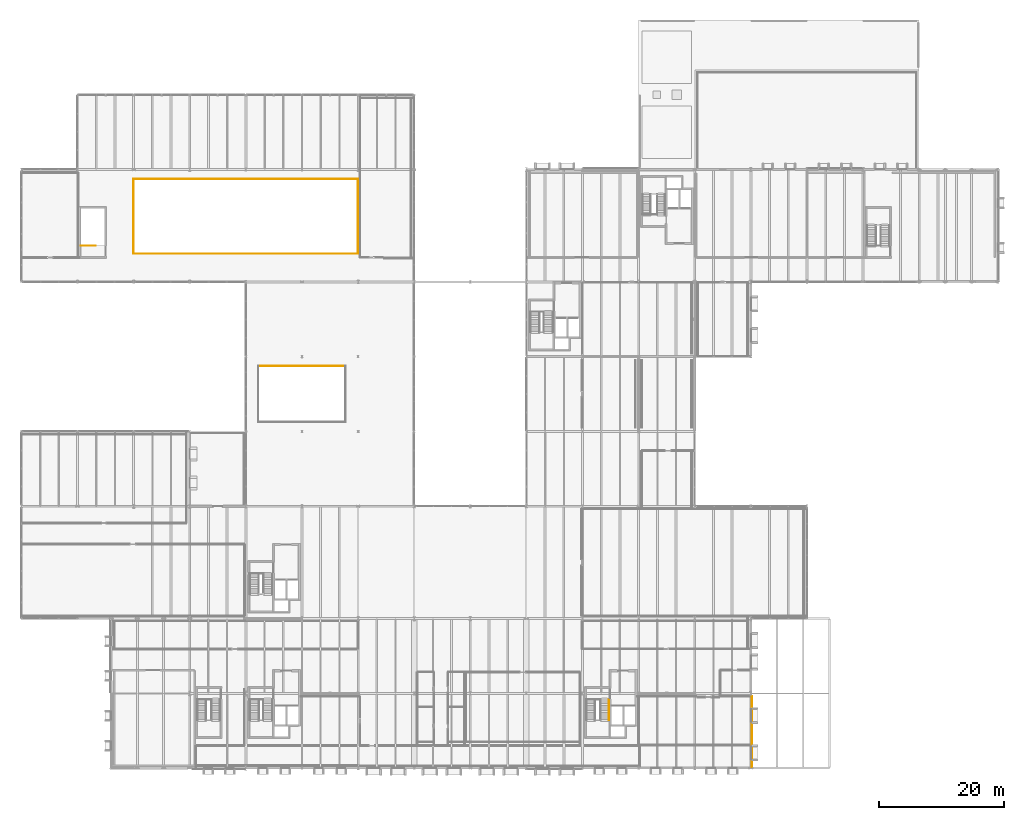
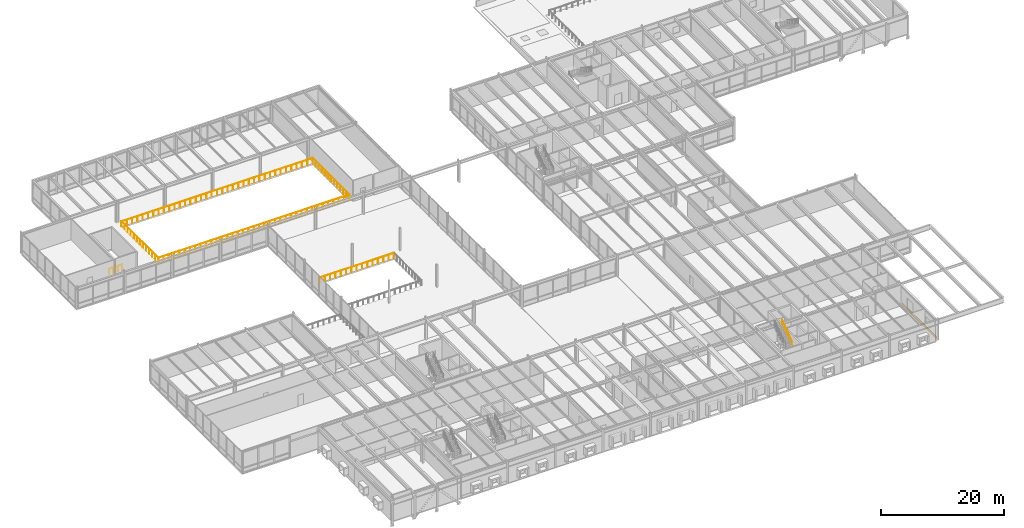
# One storey, part 113 of 115: 7 railings, 1 covering.
"""IFC4 building model written with IfcOpenShell, lengths in metres."""

from ifc_helpers import new_model, si_unit, direction, frame, origin, origin_2d, place, context, subcontext, project, spatial, rectangle, circle, extrude, material, layer, layer_set, type_object, element, save


model = new_model("IFC4")

# Units and contexts
model_context = context("Model", 3, precision=1e-05, world=origin(), true_north=direction((0.0, 1.0)))
body_context = subcontext(model_context, "Body", "Model", "MODEL_VIEW")
ifc_project = project(units=[si_unit("LENGTHUNIT", "METRE"), si_unit("AREAUNIT", "SQUARE_METRE"), si_unit("VOLUMEUNIT", "CUBIC_METRE"), si_unit("PLANEANGLEUNIT", "RADIAN"), si_unit("MASSUNIT", "GRAM", prefix="KILO")], contexts=[model_context])

# Site, building, storey
site_placement = place(None, origin())
site = spatial("IfcSite", under=ifc_project, at=site_placement, CompositionType="ELEMENT")
building_placement = place(site_placement, origin())
building = spatial("IfcBuilding", under=site, at=building_placement, Name="Montelvaro Courts of Justice", CompositionType="ELEMENT")
storey_placement = place(building_placement, frame((0.0, 0.0, 9.89990234375)))
storey = spatial("IfcBuildingStorey", under=building, at=storey_placement, Name="L02", CompositionType="ELEMENT", Elevation=9.89990234375)

# Covering
ifc_material_1 = material(Name="White mineral precast concrete C45/55", Category="concrete")
ifc_layer = layer(ifc_material_1, 0.0400390625)
ifc_layer_set = layer_set([ifc_layer], Name="White mineral precast concrete C45/55")
covering_type = type_object("IfcCoveringType", Name="BarCladding_GFRC", PredefinedType="CLADDING", material=ifc_layer_set)
covering_placement = place(storey_placement, frame((135.162109375, 5.85009765625, 0.030029296875), z_axis=(0.0, 0.0, 1.0), x_axis=(0.0, 1.0, 0.0)))
element("IfcCovering", 1, at=covering_placement, inside=storey, type_object=covering_type, Name="Horizontal White Bar Spandrel Cladding CL-01-015", PredefinedType="CLADDING", context=body_context, shape_type="SweptSolid", body=[
    extrude(rectangle(XDim=11.384033203125, YDim=0.0400390625, at=origin_2d()), origin(), (0.0, 0.0, 1.0), 0.5),
])

# Railings
ifc_material_2 = material(Name="Steel S355", Category="steel")
railing_type_1 = type_object("IfcRailingType", Name="InteriorGuard_1100", PredefinedType="BALUSTRADE", material=ifc_material_2)
railing_1_placement = place(storey_placement, frame((27.5, 83.800048828125, 0.0)))
element("IfcRailing", 2, at=railing_1_placement, inside=storey, type_object=railing_type_1, Name="Stair Well Guard GR-02 ST-P1-L01-TLG", PredefinedType="BALUSTRADE", context=body_context, shape_type="SweptSolid", body=[
    extrude(circle(Radius=0.02392578125, at=origin_2d()), frame((0.0, 0.0, 1.076171875), z_axis=(1.0, 0.0, 0.0), x_axis=(0.0, 1.0, 0.0)), (0.0, 0.0, 1.0), 2.43994140625),
    extrude(circle(Radius=0.02099609375, at=origin_2d()), origin(), (0.0, 0.0, 1.0), 1.052001953125),
    extrude(circle(Radius=0.02099609375, at=origin_2d()), frame((0.813232421875, 0.0, 0.0)), (0.0, 0.0, 1.0), 1.052001953125),
    extrude(circle(Radius=0.02099609375, at=origin_2d()), frame((1.626708984375, 0.0, 0.0)), (0.0, 0.0, 1.0), 1.052001953125),
    extrude(circle(Radius=0.02099609375, at=origin_2d()), frame((2.43994140625, 0.0, 0.0)), (0.0, 0.0, 1.0), 1.052001953125),
])
railing_2_placement = place(storey_placement, frame((36.0, 82.5, 0.0)))
element("IfcRailing", 3, at=railing_2_placement, inside=storey, type_object=railing_type_1, Name="Atrium Void Balustrade GR-02 (L02)", PredefinedType="BALUSTRADE", context=body_context, shape_type="SweptSolid", body=[
    extrude(circle(Radius=0.02392578125, at=origin_2d()), frame((0.0, 0.0, 1.076171875), z_axis=(1.0, 0.0, 0.0), x_axis=(0.0, 1.0, 0.0)), (0.0, 0.0, 1.0), 36.0),
    extrude(circle(Radius=0.02099609375, at=origin_2d()), origin(), (0.0, 0.0, 1.0), 1.052001953125),
    extrude(circle(Radius=0.02099609375, at=origin_2d()), frame((1.0, 0.0, 0.0)), (0.0, 0.0, 1.0), 1.052001953125),
    extrude(circle(Radius=0.02099609375, at=origin_2d()), frame((2.0, 0.0, 0.0)), (0.0, 0.0, 1.0), 1.052001953125),
    extrude(circle(Radius=0.02099609375, at=origin_2d()), frame((3.0, 0.0, 0.0)), (0.0, 0.0, 1.0), 1.052001953125),
    extrude(circle(Radius=0.02099609375, at=origin_2d()), frame((4.0, 0.0, 0.0)), (0.0, 0.0, 1.0), 1.052001953125),
    extrude(circle(Radius=0.02099609375, at=origin_2d()), frame((5.0, 0.0, 0.0)), (0.0, 0.0, 1.0), 1.052001953125),
    extrude(circle(Radius=0.02099609375, at=origin_2d()), frame((6.0, 0.0, 0.0)), (0.0, 0.0, 1.0), 1.052001953125),
    extrude(circle(Radius=0.02099609375, at=origin_2d()), frame((7.0, 0.0, 0.0)), (0.0, 0.0, 1.0), 1.052001953125),
    extrude(circle(Radius=0.02099609375, at=origin_2d()), frame((8.0, 0.0, 0.0)), (0.0, 0.0, 1.0), 1.052001953125),
    extrude(circle(Radius=0.02099609375, at=origin_2d()), frame((9.0, 0.0, 0.0)), (0.0, 0.0, 1.0), 1.052001953125),
    extrude(circle(Radius=0.02099609375, at=origin_2d()), frame((10.0, 0.0, 0.0)), (0.0, 0.0, 1.0), 1.052001953125),
    extrude(circle(Radius=0.02099609375, at=origin_2d()), frame((11.0, 0.0, 0.0)), (0.0, 0.0, 1.0), 1.052001953125),
    extrude(circle(Radius=0.02099609375, at=origin_2d()), frame((12.0, 0.0, 0.0)), (0.0, 0.0, 1.0), 1.052001953125),
    extrude(circle(Radius=0.02099609375, at=origin_2d()), frame((13.0, 0.0, 0.0)), (0.0, 0.0, 1.0), 1.052001953125),
    extrude(circle(Radius=0.02099609375, at=origin_2d()), frame((14.0, 0.0, 0.0)), (0.0, 0.0, 1.0), 1.052001953125),
    extrude(circle(Radius=0.02099609375, at=origin_2d()), frame((15.0, 0.0, 0.0)), (0.0, 0.0, 1.0), 1.052001953125),
    extrude(circle(Radius=0.02099609375, at=origin_2d()), frame((16.0, 0.0, 0.0)), (0.0, 0.0, 1.0), 1.052001953125),
    extrude(circle(Radius=0.02099609375, at=origin_2d()), frame((17.0, 0.0, 0.0)), (0.0, 0.0, 1.0), 1.052001953125),
    extrude(circle(Radius=0.02099609375, at=origin_2d()), frame((18.0, 0.0, 0.0)), (0.0, 0.0, 1.0), 1.052001953125),
    extrude(circle(Radius=0.02099609375, at=origin_2d()), frame((19.0, 0.0, 0.0)), (0.0, 0.0, 1.0), 1.052001953125),
    extrude(circle(Radius=0.02099609375, at=origin_2d()), frame((20.0, 0.0, 0.0)), (0.0, 0.0, 1.0), 1.052001953125),
    extrude(circle(Radius=0.02099609375, at=origin_2d()), frame((21.0, 0.0, 0.0)), (0.0, 0.0, 1.0), 1.052001953125),
    extrude(circle(Radius=0.02099609375, at=origin_2d()), frame((22.0, 0.0, 0.0)), (0.0, 0.0, 1.0), 1.052001953125),
    extrude(circle(Radius=0.02099609375, at=origin_2d()), frame((23.0, 0.0, 0.0)), (0.0, 0.0, 1.0), 1.052001953125),
    extrude(circle(Radius=0.02099609375, at=origin_2d()), frame((24.0, 0.0, 0.0)), (0.0, 0.0, 1.0), 1.052001953125),
    extrude(circle(Radius=0.02099609375, at=origin_2d()), frame((25.0, 0.0, 0.0)), (0.0, 0.0, 1.0), 1.052001953125),
    extrude(circle(Radius=0.02099609375, at=origin_2d()), frame((26.0, 0.0, 0.0)), (0.0, 0.0, 1.0), 1.052001953125),
    extrude(circle(Radius=0.02099609375, at=origin_2d()), frame((27.0, 0.0, 0.0)), (0.0, 0.0, 1.0), 1.052001953125),
    extrude(circle(Radius=0.02099609375, at=origin_2d()), frame((28.0, 0.0, 0.0)), (0.0, 0.0, 1.0), 1.052001953125),
    extrude(circle(Radius=0.02099609375, at=origin_2d()), frame((29.0, 0.0, 0.0)), (0.0, 0.0, 1.0), 1.052001953125),
    extrude(circle(Radius=0.02099609375, at=origin_2d()), frame((30.0, 0.0, 0.0)), (0.0, 0.0, 1.0), 1.052001953125),
    extrude(circle(Radius=0.02099609375, at=origin_2d()), frame((31.0, 0.0, 0.0)), (0.0, 0.0, 1.0), 1.052001953125),
    extrude(circle(Radius=0.02099609375, at=origin_2d()), frame((32.0, 0.0, 0.0)), (0.0, 0.0, 1.0), 1.052001953125),
    extrude(circle(Radius=0.02099609375, at=origin_2d()), frame((33.0, 0.0, 0.0)), (0.0, 0.0, 1.0), 1.052001953125),
    extrude(circle(Radius=0.02099609375, at=origin_2d()), frame((34.0, 0.0, 0.0)), (0.0, 0.0, 1.0), 1.052001953125),
    extrude(circle(Radius=0.02099609375, at=origin_2d()), frame((35.0, 0.0, 0.0)), (0.0, 0.0, 1.0), 1.052001953125),
    extrude(circle(Radius=0.02099609375, at=origin_2d()), frame((36.0, 0.0, 0.0)), (0.0, 0.0, 1.0), 1.052001953125),
])
railing_3_placement = place(storey_placement, frame((72.0, 82.5, 0.0)))
element("IfcRailing", 4, at=railing_3_placement, inside=storey, type_object=railing_type_1, Name="Atrium Void Balustrade GR-02 (L02)", PredefinedType="BALUSTRADE", context=body_context, shape_type="SweptSolid", body=[
    extrude(circle(Radius=0.02392578125, at=origin_2d()), frame((0.0, 0.0, 1.076171875), z_axis=(0.0, 1.0, 0.0), x_axis=(-1.0, 0.0, 0.0)), (0.0, 0.0, 1.0), 12.0),
    extrude(circle(Radius=0.02099609375, at=origin_2d()), origin(), (0.0, 0.0, 1.0), 1.052001953125),
    extrude(circle(Radius=0.02099609375, at=origin_2d()), frame((0.0, 1.0, 0.0)), (0.0, 0.0, 1.0), 1.052001953125),
    extrude(circle(Radius=0.02099609375, at=origin_2d()), frame((0.0, 2.0, 0.0)), (0.0, 0.0, 1.0), 1.052001953125),
    extrude(circle(Radius=0.02099609375, at=origin_2d()), frame((0.0, 3.0, 0.0)), (0.0, 0.0, 1.0), 1.052001953125),
    extrude(circle(Radius=0.02099609375, at=origin_2d()), frame((0.0, 4.0, 0.0)), (0.0, 0.0, 1.0), 1.052001953125),
    extrude(circle(Radius=0.02099609375, at=origin_2d()), frame((0.0, 5.0, 0.0)), (0.0, 0.0, 1.0), 1.052001953125),
    extrude(circle(Radius=0.02099609375, at=origin_2d()), frame((0.0, 6.0, 0.0)), (0.0, 0.0, 1.0), 1.052001953125),
    extrude(circle(Radius=0.02099609375, at=origin_2d()), frame((0.0, 7.0, 0.0)), (0.0, 0.0, 1.0), 1.052001953125),
    extrude(circle(Radius=0.02099609375, at=origin_2d()), frame((0.0, 8.0, 0.0)), (0.0, 0.0, 1.0), 1.052001953125),
    extrude(circle(Radius=0.02099609375, at=origin_2d()), frame((0.0, 9.0, 0.0)), (0.0, 0.0, 1.0), 1.052001953125),
    extrude(circle(Radius=0.02099609375, at=origin_2d()), frame((0.0, 10.0, 0.0)), (0.0, 0.0, 1.0), 1.052001953125),
    extrude(circle(Radius=0.02099609375, at=origin_2d()), frame((0.0, 11.0, 0.0)), (0.0, 0.0, 1.0), 1.052001953125),
    extrude(circle(Radius=0.02099609375, at=origin_2d()), frame((0.0, 12.0, 0.0)), (0.0, 0.0, 1.0), 1.052001953125),
])
railing_4_placement = place(storey_placement, frame((72.0, 94.5, 0.0)))
element("IfcRailing", 5, at=railing_4_placement, inside=storey, type_object=railing_type_1, Name="Atrium Void Balustrade GR-02 (L02)", PredefinedType="BALUSTRADE", context=body_context, shape_type="SweptSolid", body=[
    extrude(circle(Radius=0.02392578125, at=origin_2d()), frame((0.0, 0.0, 1.076171875), z_axis=(-1.0, 0.0, 0.0), x_axis=(0.0, -1.0, 0.0)), (0.0, 0.0, 1.0), 36.0),
    extrude(circle(Radius=0.02099609375, at=origin_2d()), origin(), (0.0, 0.0, 1.0), 1.052001953125),
    extrude(circle(Radius=0.02099609375, at=origin_2d()), frame((-1.0, 0.0, 0.0)), (0.0, 0.0, 1.0), 1.052001953125),
    extrude(circle(Radius=0.02099609375, at=origin_2d()), frame((-2.0, 0.0, 0.0)), (0.0, 0.0, 1.0), 1.052001953125),
    extrude(circle(Radius=0.02099609375, at=origin_2d()), frame((-3.0, 0.0, 0.0)), (0.0, 0.0, 1.0), 1.052001953125),
    extrude(circle(Radius=0.02099609375, at=origin_2d()), frame((-4.0, 0.0, 0.0)), (0.0, 0.0, 1.0), 1.052001953125),
    extrude(circle(Radius=0.02099609375, at=origin_2d()), frame((-5.0, 0.0, 0.0)), (0.0, 0.0, 1.0), 1.052001953125),
    extrude(circle(Radius=0.02099609375, at=origin_2d()), frame((-6.0, 0.0, 0.0)), (0.0, 0.0, 1.0), 1.052001953125),
    extrude(circle(Radius=0.02099609375, at=origin_2d()), frame((-7.0, 0.0, 0.0)), (0.0, 0.0, 1.0), 1.052001953125),
    extrude(circle(Radius=0.02099609375, at=origin_2d()), frame((-8.0, 0.0, 0.0)), (0.0, 0.0, 1.0), 1.052001953125),
    extrude(circle(Radius=0.02099609375, at=origin_2d()), frame((-9.0, 0.0, 0.0)), (0.0, 0.0, 1.0), 1.052001953125),
    extrude(circle(Radius=0.02099609375, at=origin_2d()), frame((-10.0, 0.0, 0.0)), (0.0, 0.0, 1.0), 1.052001953125),
    extrude(circle(Radius=0.02099609375, at=origin_2d()), frame((-11.0, 0.0, 0.0)), (0.0, 0.0, 1.0), 1.052001953125),
    extrude(circle(Radius=0.02099609375, at=origin_2d()), frame((-12.0, 0.0, 0.0)), (0.0, 0.0, 1.0), 1.052001953125),
    extrude(circle(Radius=0.02099609375, at=origin_2d()), frame((-13.0, 0.0, 0.0)), (0.0, 0.0, 1.0), 1.052001953125),
    extrude(circle(Radius=0.02099609375, at=origin_2d()), frame((-14.0, 0.0, 0.0)), (0.0, 0.0, 1.0), 1.052001953125),
    extrude(circle(Radius=0.02099609375, at=origin_2d()), frame((-15.0, 0.0, 0.0)), (0.0, 0.0, 1.0), 1.052001953125),
    extrude(circle(Radius=0.02099609375, at=origin_2d()), frame((-16.0, 0.0, 0.0)), (0.0, 0.0, 1.0), 1.052001953125),
    extrude(circle(Radius=0.02099609375, at=origin_2d()), frame((-17.0, 0.0, 0.0)), (0.0, 0.0, 1.0), 1.052001953125),
    extrude(circle(Radius=0.02099609375, at=origin_2d()), frame((-18.0, 0.0, 0.0)), (0.0, 0.0, 1.0), 1.052001953125),
    extrude(circle(Radius=0.02099609375, at=origin_2d()), frame((-19.0, 0.0, 0.0)), (0.0, 0.0, 1.0), 1.052001953125),
    extrude(circle(Radius=0.02099609375, at=origin_2d()), frame((-20.0, 0.0, 0.0)), (0.0, 0.0, 1.0), 1.052001953125),
    extrude(circle(Radius=0.02099609375, at=origin_2d()), frame((-21.0, 0.0, 0.0)), (0.0, 0.0, 1.0), 1.052001953125),
    extrude(circle(Radius=0.02099609375, at=origin_2d()), frame((-22.0, 0.0, 0.0)), (0.0, 0.0, 1.0), 1.052001953125),
    extrude(circle(Radius=0.02099609375, at=origin_2d()), frame((-23.0, 0.0, 0.0)), (0.0, 0.0, 1.0), 1.052001953125),
    extrude(circle(Radius=0.02099609375, at=origin_2d()), frame((-24.0, 0.0, 0.0)), (0.0, 0.0, 1.0), 1.052001953125),
    extrude(circle(Radius=0.02099609375, at=origin_2d()), frame((-25.0, 0.0, 0.0)), (0.0, 0.0, 1.0), 1.052001953125),
    extrude(circle(Radius=0.02099609375, at=origin_2d()), frame((-26.0, 0.0, 0.0)), (0.0, 0.0, 1.0), 1.052001953125),
    extrude(circle(Radius=0.02099609375, at=origin_2d()), frame((-27.0, 0.0, 0.0)), (0.0, 0.0, 1.0), 1.052001953125),
    extrude(circle(Radius=0.02099609375, at=origin_2d()), frame((-28.0, 0.0, 0.0)), (0.0, 0.0, 1.0), 1.052001953125),
    extrude(circle(Radius=0.02099609375, at=origin_2d()), frame((-29.0, 0.0, 0.0)), (0.0, 0.0, 1.0), 1.052001953125),
    extrude(circle(Radius=0.02099609375, at=origin_2d()), frame((-30.0, 0.0, 0.0)), (0.0, 0.0, 1.0), 1.052001953125),
    extrude(circle(Radius=0.02099609375, at=origin_2d()), frame((-31.0, 0.0, 0.0)), (0.0, 0.0, 1.0), 1.052001953125),
    extrude(circle(Radius=0.02099609375, at=origin_2d()), frame((-32.0, 0.0, 0.0)), (0.0, 0.0, 1.0), 1.052001953125),
    extrude(circle(Radius=0.02099609375, at=origin_2d()), frame((-33.0, 0.0, 0.0)), (0.0, 0.0, 1.0), 1.052001953125),
    extrude(circle(Radius=0.02099609375, at=origin_2d()), frame((-34.0, 0.0, 0.0)), (0.0, 0.0, 1.0), 1.052001953125),
    extrude(circle(Radius=0.02099609375, at=origin_2d()), frame((-35.0, 0.0, 0.0)), (0.0, 0.0, 1.0), 1.052001953125),
    extrude(circle(Radius=0.02099609375, at=origin_2d()), frame((-36.0, 0.0, 0.0)), (0.0, 0.0, 1.0), 1.052001953125),
])
railing_5_placement = place(storey_placement, frame((36.0, 94.5, 0.0)))
element("IfcRailing", 6, at=railing_5_placement, inside=storey, type_object=railing_type_1, Name="Atrium Void Balustrade GR-02 (L02)", PredefinedType="BALUSTRADE", context=body_context, shape_type="SweptSolid", body=[
    extrude(circle(Radius=0.02392578125, at=origin_2d()), frame((0.0, 0.0, 1.076171875), z_axis=(0.0, -1.0, 0.0), x_axis=(1.0, 0.0, 0.0)), (0.0, 0.0, 1.0), 12.0),
    extrude(circle(Radius=0.02099609375, at=origin_2d()), origin(), (0.0, 0.0, 1.0), 1.052001953125),
    extrude(circle(Radius=0.02099609375, at=origin_2d()), frame((0.0, -1.0, 0.0)), (0.0, 0.0, 1.0), 1.052001953125),
    extrude(circle(Radius=0.02099609375, at=origin_2d()), frame((0.0, -2.0, 0.0)), (0.0, 0.0, 1.0), 1.052001953125),
    extrude(circle(Radius=0.02099609375, at=origin_2d()), frame((0.0, -3.0, 0.0)), (0.0, 0.0, 1.0), 1.052001953125),
    extrude(circle(Radius=0.02099609375, at=origin_2d()), frame((0.0, -4.0, 0.0)), (0.0, 0.0, 1.0), 1.052001953125),
    extrude(circle(Radius=0.02099609375, at=origin_2d()), frame((0.0, -5.0, 0.0)), (0.0, 0.0, 1.0), 1.052001953125),
    extrude(circle(Radius=0.02099609375, at=origin_2d()), frame((0.0, -6.0, 0.0)), (0.0, 0.0, 1.0), 1.052001953125),
    extrude(circle(Radius=0.02099609375, at=origin_2d()), frame((0.0, -7.0, 0.0)), (0.0, 0.0, 1.0), 1.052001953125),
    extrude(circle(Radius=0.02099609375, at=origin_2d()), frame((0.0, -8.0, 0.0)), (0.0, 0.0, 1.0), 1.052001953125),
    extrude(circle(Radius=0.02099609375, at=origin_2d()), frame((0.0, -9.0, 0.0)), (0.0, 0.0, 1.0), 1.052001953125),
    extrude(circle(Radius=0.02099609375, at=origin_2d()), frame((0.0, -10.0, 0.0)), (0.0, 0.0, 1.0), 1.052001953125),
    extrude(circle(Radius=0.02099609375, at=origin_2d()), frame((0.0, -11.0, 0.0)), (0.0, 0.0, 1.0), 1.052001953125),
    extrude(circle(Radius=0.02099609375, at=origin_2d()), frame((0.0, -12.0, 0.0)), (0.0, 0.0, 1.0), 1.052001953125),
])
railing_6_placement = place(storey_placement, frame((70.0, 64.5, 0.0)))
element("IfcRailing", 7, at=railing_6_placement, inside=storey, type_object=railing_type_1, Name="Atrium Void Balustrade GR-02 (L02)", PredefinedType="BALUSTRADE", context=body_context, shape_type="SweptSolid", body=[
    extrude(circle(Radius=0.02392578125, at=origin_2d()), frame((0.0, 0.0, 1.076171875), z_axis=(-1.0, 0.0, 0.0), x_axis=(0.0, -1.0, 0.0)), (0.0, 0.0, 1.0), 14.0),
    extrude(circle(Radius=0.02099609375, at=origin_2d()), origin(), (0.0, 0.0, 1.0), 1.052001953125),
    extrude(circle(Radius=0.02099609375, at=origin_2d()), frame((-1.0, 0.0, 0.0)), (0.0, 0.0, 1.0), 1.052001953125),
    extrude(circle(Radius=0.02099609375, at=origin_2d()), frame((-2.0, 0.0, 0.0)), (0.0, 0.0, 1.0), 1.052001953125),
    extrude(circle(Radius=0.02099609375, at=origin_2d()), frame((-3.0, 0.0, 0.0)), (0.0, 0.0, 1.0), 1.052001953125),
    extrude(circle(Radius=0.02099609375, at=origin_2d()), frame((-4.0, 0.0, 0.0)), (0.0, 0.0, 1.0), 1.052001953125),
    extrude(circle(Radius=0.02099609375, at=origin_2d()), frame((-5.0, 0.0, 0.0)), (0.0, 0.0, 1.0), 1.052001953125),
    extrude(circle(Radius=0.02099609375, at=origin_2d()), frame((-6.0, 0.0, 0.0)), (0.0, 0.0, 1.0), 1.052001953125),
    extrude(circle(Radius=0.02099609375, at=origin_2d()), frame((-7.0, 0.0, 0.0)), (0.0, 0.0, 1.0), 1.052001953125),
    extrude(circle(Radius=0.02099609375, at=origin_2d()), frame((-8.0, 0.0, 0.0)), (0.0, 0.0, 1.0), 1.052001953125),
    extrude(circle(Radius=0.02099609375, at=origin_2d()), frame((-9.0, 0.0, 0.0)), (0.0, 0.0, 1.0), 1.052001953125),
    extrude(circle(Radius=0.02099609375, at=origin_2d()), frame((-10.0, 0.0, 0.0)), (0.0, 0.0, 1.0), 1.052001953125),
    extrude(circle(Radius=0.02099609375, at=origin_2d()), frame((-11.0, 0.0, 0.0)), (0.0, 0.0, 1.0), 1.052001953125),
    extrude(circle(Radius=0.02099609375, at=origin_2d()), frame((-12.0, 0.0, 0.0)), (0.0, 0.0, 1.0), 1.052001953125),
    extrude(circle(Radius=0.02099609375, at=origin_2d()), frame((-13.0, 0.0, 0.0)), (0.0, 0.0, 1.0), 1.052001953125),
    extrude(circle(Radius=0.02099609375, at=origin_2d()), frame((-14.0, 0.0, 0.0)), (0.0, 0.0, 1.0), 1.052001953125),
])
ifc_material_3 = material(Name="Austenitic stainless steel EN 1.4401", Category="steel")
railing_type_2 = type_object("IfcRailingType", Name="StairHandrail_950", PredefinedType="HANDRAIL", material=ifc_material_3)
railing_7_placement = place(storey_placement, frame((112.239990234375, 7.735107421875, 2.25)))
element("IfcRailing", 8, at=railing_7_placement, inside=storey, type_object=railing_type_2, Name="Stair Pitch Handrail HR-01 ST-K2-L02-F2H", PredefinedType="HANDRAIL", context=body_context, shape_type="SweptSolid", body=[
    extrude(circle(Radius=0.02392578125, at=origin_2d()), frame((0.0, 0.0, 0.92578125), z_axis=(0.0, 0.823407228882, 0.567450910146), x_axis=(-1.0, 0.0, 0.0)), (0.0, 0.0, 1.0), 3.965087890625),
    extrude(circle(Radius=0.02099609375, at=origin_2d()), origin(), (0.0, 0.0, 1.0), 0.90185546875),
    extrude(circle(Radius=0.02099609375, at=origin_2d()), frame((0.0, 0.816162109375, 0.5625)), (0.0, 0.0, 1.0), 0.90185546875),
    extrude(circle(Radius=0.02099609375, at=origin_2d()), frame((0.0, 1.63232421875, 1.125)), (0.0, 0.0, 1.0), 0.90185546875),
    extrude(circle(Radius=0.02099609375, at=origin_2d()), frame((0.0, 2.44873046875, 1.6875)), (0.0, 0.0, 1.0), 0.90185546875),
    extrude(circle(Radius=0.02099609375, at=origin_2d()), frame((0.0, 3.264892578125, 2.25)), (0.0, 0.0, 1.0), 0.90185546875),
])

save(model, "model.ifc")
